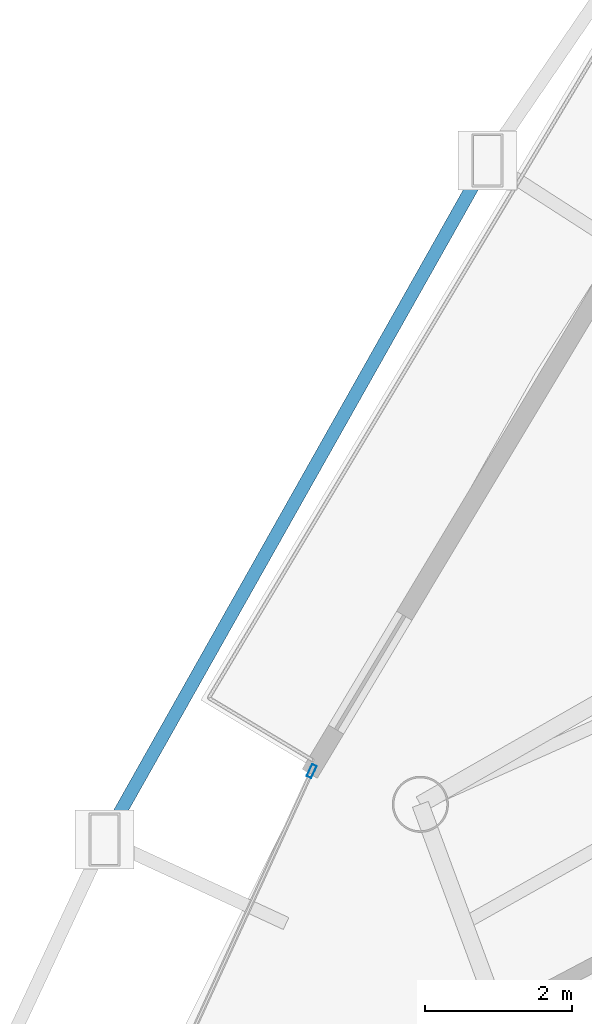
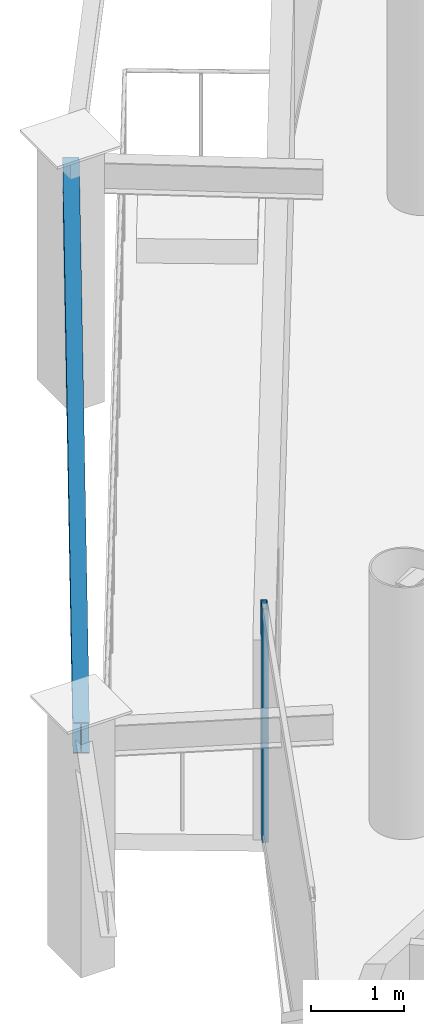
# One storey, part 10 of 34: 1 beam, 1 member, 1 element without a shape of its own.
"""IFC4 building model written with IfcOpenShell, lengths in metres."""

from ifc_helpers import new_model, si_unit, direction, frame, origin, origin_2d, place, context, subcontext, project, spatial, hollow_rectangle, i_section, extrude, material, layer, layer_set, material_profile, profile_set, type_object, element, aggregate, save


model = new_model("IFC4")

# Units and contexts
model_context = context("Model", 3, precision=1e-05, world=origin(), true_north=direction((0.0, 1.0)))
body_context = subcontext(model_context, "Body", "Model", "MODEL_VIEW")
ifc_project = project(units=[si_unit("LENGTHUNIT", "METRE"), si_unit("AREAUNIT", "SQUARE_METRE"), si_unit("VOLUMEUNIT", "CUBIC_METRE"), si_unit("PLANEANGLEUNIT", "RADIAN"), si_unit("MASSUNIT", "GRAM", prefix="KILO")], contexts=[model_context])

# Site, building, storey
site_placement = place(None, origin())
site = spatial("IfcSite", under=ifc_project, at=site_placement, CompositionType="ELEMENT")
building_placement = place(site_placement, origin())
building = spatial("IfcBuilding", under=site, at=building_placement, Name="Orvanel Arch Residences", CompositionType="ELEMENT")
storey_placement = place(building_placement, frame((0.0, 0.0, 80.75)))
storey = spatial("IfcBuildingStorey", under=building, at=storey_placement, Name="L22", CompositionType="ELEMENT", Elevation=80.75)

# Curtain wall, member
ifc_material_1 = material(Name="Bronze-anodised aluminium AA6063-T6", Category="aluminium")
ifc_layer = layer(ifc_material_1, 0.179931640625)
ifc_layer_set = layer_set([ifc_layer], Name="Bronze-anodised aluminium AA6063-T6")
curtain_wall_type = type_object("IfcCurtainWallType", Name="CW2-LOW-SYS", PredefinedType="NOTDEFINED", material=ifc_layer_set)
curtain_wall_placement = place(storey_placement, origin())
curtain_wall = element("IfcCurtainWall", 1, at=curtain_wall_placement, inside=storey, type_object=curtain_wall_type, Name="L22 CW2-LOW-SYS Unitised Curtain Wall", PredefinedType="NOTDEFINED")
ifc_material_profile_1 = material_profile(ifc_material_1, hollow_rectangle(XDim=0.070068359375, YDim=0.179931640625, WallThickness=0.00439453125, at=origin_2d()), Name="ALU180x70x4.5")
ifc_profile_set_1 = profile_set([ifc_material_profile_1], Name="Bronze-anodised aluminium AA6063-T6")
member_type = type_object("IfcMemberType", Name="MUL-180x70", PredefinedType="MULLION", material=ifc_profile_set_1)
member_placement = place(storey_placement, frame((13.1875, 24.7060546875, 0.0), z_axis=(0.0, 0.0, 1.0), x_axis=(0.909616944848, -0.415447967434, 0.0)))
member = element("IfcMember", 2, at=member_placement, type_object=member_type, Name="CW-S2 mullion 1", PredefinedType="MULLION", context=body_context, shape_type="SweptSolid", body=[
    extrude(hollow_rectangle(XDim=0.070068359375, YDim=0.179931640625, WallThickness=0.00439453125, at=origin_2d()), origin(), (0.0, 0.0, 1.0), 3.06005859375),
])
aggregate(curtain_wall, [member])

# Beam
ifc_material_2 = material(Name="Structural steel AS/NZS 3679.1 Grade 300 (300 MPa)", Category="steel")
ifc_material_profile_2 = material_profile(ifc_material_2, i_section(OverallWidth=0.177978515625, OverallDepth=0.406005859375, WebThickness=0.0078125, FlangeThickness=0.0126953125, at=origin_2d()), Name="410UB59.7")
ifc_profile_set_2 = profile_set([ifc_material_profile_2], Name="Structural steel AS/NZS 3679.1 Grade 300 (300 MPa)")
beam_type = type_object("IfcBeamType", Name="OB-410UB-EXT", PredefinedType="SPANDREL", material=ifc_profile_set_2)
beam_placement = place(storey_placement, frame((15.571044921875, 32.991943359375, 2.85693359375), z_axis=(-0.490962423803, -0.871180749566, 0.0), x_axis=(0.871180749566, -0.490962423803, 0.0)))
element("IfcBeam", 3, at=beam_placement, inside=storey, type_object=beam_type, Name="L22 Outer Perimeter Floor Ring Beam 02", PredefinedType="SPANDREL", context=body_context, shape_type="SweptSolid", body=[
    extrude(i_section(OverallWidth=0.177978515625, OverallDepth=0.406005859375, WebThickness=0.0078125, FlangeThickness=0.0126953125, at=origin_2d()), origin(), (0.0, 0.0, 1.0), 10.577392578125),
])

save(model, "model.ifc")
